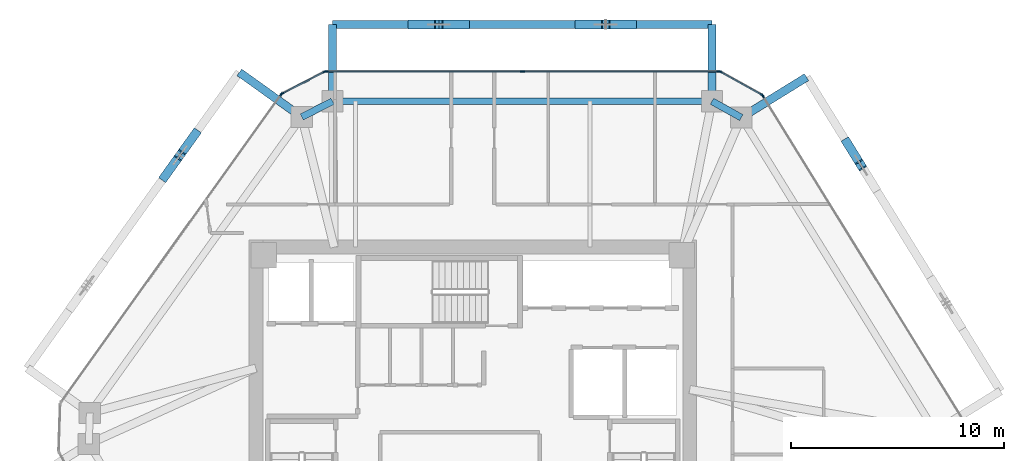
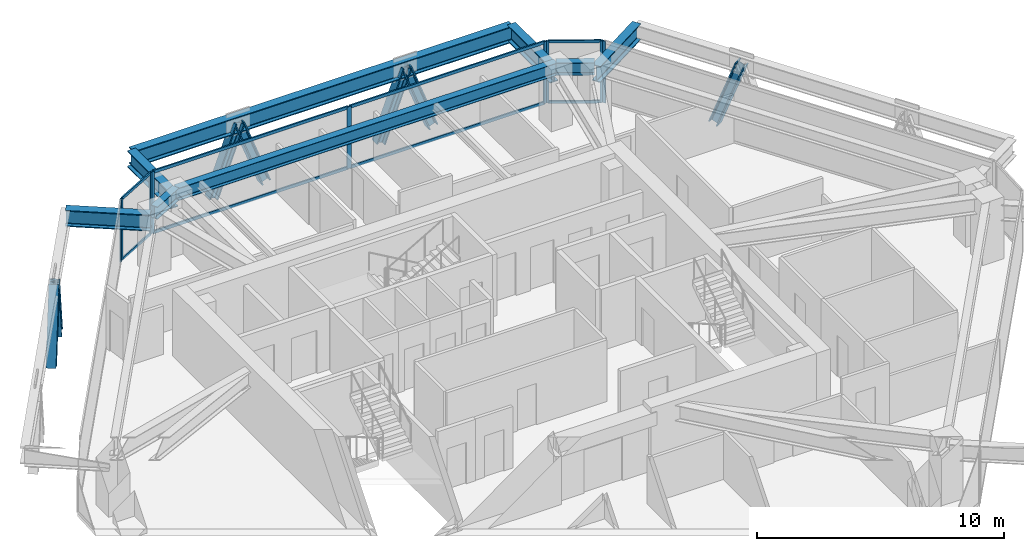
# One storey, part 6 of 14: 24 members, 8 beams, 5 elements without a shape of their own.
"""IFC4 building model written with IfcOpenShell, lengths in metres."""

from ifc_helpers import new_model, si_unit, direction, frame, origin, origin_2d, place, context, subcontext, project, spatial, rectangle, i_section, extrude, source, transform, mapped, material, layer, layer_set, material_profile, profile_set, type_object, type_shapes, element, aggregate, save


model = new_model("IFC4")

# Units and contexts
model_context = context("Model", 3, precision=1e-05, world=origin(), true_north=direction((0.0, 1.0)))
body_context = subcontext(model_context, "Body", "Model", "MODEL_VIEW")
ifc_project = project(units=[si_unit("LENGTHUNIT", "METRE"), si_unit("AREAUNIT", "SQUARE_METRE"), si_unit("VOLUMEUNIT", "CUBIC_METRE"), si_unit("PLANEANGLEUNIT", "RADIAN"), si_unit("MASSUNIT", "GRAM", prefix="KILO")], contexts=[model_context])

# Site, building, storey
site_placement = place(None, origin())
site = spatial("IfcSite", under=ifc_project, at=site_placement, CompositionType="ELEMENT")
building_placement = place(site_placement, origin())
building = spatial("IfcBuilding", under=site, at=building_placement, Name="Durnholm Broadcast Tower", CompositionType="ELEMENT")
storey_placement = place(building_placement, frame((0.0, 0.0, 180.39990234375)))
storey = spatial("IfcBuildingStorey", under=building, at=storey_placement, Name="L49", CompositionType="ELEMENT", Elevation=180.39990234375)

# Beams
ifc_material_1 = material(Name="Steel ASTM A992 Grade 50", Category="steel")
ifc_material_profile_1 = material_profile(ifc_material_1, i_section(OverallWidth=0.385009765625, OverallDepth=0.802978515625, WebThickness=0.023681640625, FlangeThickness=0.0419921875, FilletRadius=0.032958984375, at=origin_2d()), Name="W30X261")
ifc_profile_set_1 = profile_set([ifc_material_profile_1], Name="Steel ASTM A992 Grade 50")
beam_type_1 = type_object("IfcBeamType", Name="BM-EXO-TIE", PredefinedType="USERDEFINED", material=ifc_profile_set_1)
shared_shape_1 = source(origin(), body_context, "Body", "SweptSolid", [
    extrude(i_section(OverallWidth=0.385009765625, OverallDepth=0.802978515625, WebThickness=0.023681640625, FlangeThickness=0.0419921875, FilletRadius=0.032958984375, at=origin_2d()), origin(), (0.0, 0.0, 1.0), 3.4560546875),
])
for number, where, z_axis, x_axis, name in (
    (1, (12.713134765625, 14.327880859375, 2.30859375), (0.850662348375, 0.525712439512, 0.0), (-0.525712439512, 0.850662348375, 0.0), "L49 exoskeleton stand-off tie bracket F3.2"),
    (2, (-8.138916015625, 14.360107421875, 2.30859375), (-0.813079048773, 0.582153296346, 0.0), (-0.582153296346, -0.813079048773, 0.0), "L49 exoskeleton stand-off tie bracket F5.1"),
):
    element("IfcBeam", number, at=place(storey_placement, frame(where, z_axis=z_axis, x_axis=x_axis)), inside=storey, type_object=beam_type_1, Name=name, ObjectType="GIRDER", PredefinedType="USERDEFINED", context=body_context, shape_type="MappedRepresentation", body=[
        mapped(shared_shape_1, transform((0.0, 0.0, 0.0), x_axis=(1.0, 0.0, 0.0), y_axis=(0.0, 1.0, 0.0), z_axis=(0.0, 0.0, 1.0), scale=1.0)),
    ])
shared_shape_2 = source(origin(), body_context, "Body", "SweptSolid", [
    extrude(i_section(OverallWidth=0.385009765625, OverallDepth=0.802978515625, WebThickness=0.023681640625, FlangeThickness=0.0419921875, FilletRadius=0.032958984375, at=origin_2d()), origin(), (0.0, 0.0, 1.0), 3.455810546875),
])
for number, where, z_axis, x_axis, name in (
    (3, (11.217529296875, 15.162109375, 2.30859375), (0.0, 1.0, 0.0), (-1.0, 0.0, 0.0), "L49 exoskeleton stand-off tie bracket F4.1"),
    (4, (-6.57861328125, 15.162109375, 2.30859375), (0.0, 1.0, 0.0), (-1.0, 0.0, 0.0), "L49 exoskeleton stand-off tie bracket F4.2"),
):
    element("IfcBeam", number, at=place(storey_placement, frame(where, z_axis=z_axis, x_axis=x_axis)), inside=storey, type_object=beam_type_1, Name=name, ObjectType="GIRDER", PredefinedType="USERDEFINED", context=body_context, shape_type="MappedRepresentation", body=[
        mapped(shared_shape_2, transform((0.0, 0.0, 0.0), x_axis=(1.0, 0.0, 0.0), y_axis=(0.0, 1.0, 0.0), z_axis=(0.0, 0.0, 1.0), scale=1.0)),
    ])
ifc_material_profile_2 = material_profile(ifc_material_1, i_section(OverallWidth=0.3251953125, OverallDepth=0.6162109375, WebThickness=0.013916015625, FlangeThickness=0.021484375, FilletRadius=0.02783203125, at=origin_2d()), Name="W24X117")
ifc_profile_set_2 = profile_set([ifc_material_profile_2], Name="Steel ASTM A992 Grade 50")
beam_type_2 = type_object("IfcBeamType", Name="STL-SP-W24X117", PredefinedType="SPANDREL", material=ifc_profile_set_2)
shared_shape_3 = source(origin(), body_context, "Body", "SweptSolid", [
    extrude(i_section(OverallWidth=0.3251953125, OverallDepth=0.6162109375, WebThickness=0.013916015625, FlangeThickness=0.021484375, FilletRadius=0.02783203125, at=origin_2d()), origin(), (0.0, 0.0, 1.0), 1.62255859375),
])
beam_1_placement = place(storey_placement, frame((-8.021728515625, 14.2763671875, 2.737060546875), z_axis=(0.889406668864, 0.45711680934, 0.0), x_axis=(-0.45711680934, 0.889406668864, 0.0)))
element("IfcBeam", 5, at=beam_1_placement, inside=storey, type_object=beam_type_2, Name="L49 perimeter spandrel girder 04", PredefinedType="SPANDREL", context=body_context, shape_type="MappedRepresentation", body=[
    mapped(shared_shape_3, transform((0.0, 0.0, 0.0), x_axis=(1.0, 0.0, 0.0), y_axis=(0.0, 1.0, 0.0), z_axis=(0.0, 0.0, 1.0), scale=1.0)),
])
shared_shape_4 = source(origin(), body_context, "Body", "SweptSolid", [
    extrude(i_section(OverallWidth=0.3251953125, OverallDepth=0.6162109375, WebThickness=0.013916015625, FlangeThickness=0.021484375, FilletRadius=0.02783203125, at=origin_2d()), origin(), (0.0, 0.0, 1.0), 17.796142578125),
])
beam_2_placement = place(storey_placement, frame((-6.57861328125, 15.01806640625, 2.737060546875), z_axis=(1.0, 0.0, 0.0), x_axis=(0.0, 1.0, 0.0)))
element("IfcBeam", 6, at=beam_2_placement, inside=storey, type_object=beam_type_2, Name="L49 perimeter spandrel girder 05", PredefinedType="SPANDREL", context=body_context, shape_type="MappedRepresentation", body=[
    mapped(shared_shape_4, transform((0.0, 0.0, 0.0), x_axis=(1.0, 0.0, 0.0), y_axis=(0.0, 1.0, 0.0), z_axis=(0.0, 0.0, 1.0), scale=1.0)),
])
shared_shape_5 = source(origin(), body_context, "Body", "SweptSolid", [
    extrude(i_section(OverallWidth=0.3251953125, OverallDepth=0.6162109375, WebThickness=0.013916015625, FlangeThickness=0.021484375, FilletRadius=0.02783203125, at=origin_2d()), origin(), (0.0, 0.0, 1.0), 1.572509765625),
])
type_shapes(beam_type_2, [shared_shape_3, shared_shape_4, shared_shape_5])
beam_3_placement = place(storey_placement, frame((11.217529296875, 15.01806640625, 2.737060546875), z_axis=(0.873365144476, -0.487066037017, 0.0), x_axis=(0.487066037017, 0.873365144476, 0.0)))
element("IfcBeam", 7, at=beam_3_placement, inside=storey, type_object=beam_type_2, Name="L49 perimeter spandrel girder 06", PredefinedType="SPANDREL", context=body_context, shape_type="MappedRepresentation", body=[
    mapped(shared_shape_5, transform((0.0, 0.0, 0.0), x_axis=(1.0, 0.0, 0.0), y_axis=(0.0, 1.0, 0.0), z_axis=(0.0, 0.0, 1.0), scale=1.0)),
])
shared_shape_6 = source(origin(), body_context, "Body", "SweptSolid", [
    extrude(i_section(OverallWidth=0.385009765625, OverallDepth=0.802978515625, WebThickness=0.023681640625, FlangeThickness=0.0419921875, FilletRadius=0.032958984375, at=origin_2d()), origin(), (0.0, 0.0, 1.0), 17.796142578125),
])
type_shapes(beam_type_1, [shared_shape_1, shared_shape_2, shared_shape_6])
beam_4_placement = place(storey_placement, frame((11.217529296875, 18.617919921875, 2.30859375), z_axis=(-1.0, 0.0, 0.0), x_axis=(0.0, -1.0, 0.0)))
element("IfcBeam", 8, at=beam_4_placement, inside=storey, type_object=beam_type_1, Name="L49 exoskeleton collector spandrel F4", PredefinedType="SPANDREL", context=body_context, shape_type="MappedRepresentation", body=[
    mapped(shared_shape_6, transform((0.0, 0.0, 0.0), x_axis=(1.0, 0.0, 0.0), y_axis=(0.0, 1.0, 0.0), z_axis=(0.0, 0.0, 1.0), scale=1.0)),
])

# Members
ifc_material_2 = material(Name="Steel ASTM A913 Grade 65", Category="steel")
ifc_material_profile_3 = material_profile(ifc_material_2, i_section(OverallWidth=0.412109375, OverallDepth=0.434814453125, WebThickness=0.035888671875, FlangeThickness=0.057373046875, FilletRadius=0.030517578125, at=origin_2d()), Name="W14X311")
ifc_profile_set_3 = profile_set([ifc_material_profile_3], Name="Steel ASTM A913 Grade 65")
member_type_1 = type_object("IfcMemberType", Name="STL-DG-W14X311", PredefinedType="BRACE", material=ifc_profile_set_3)
shared_shape_7 = source(origin(), body_context, "Body", "SweptSolid", [
    extrude(i_section(OverallWidth=0.412109375, OverallDepth=0.434814453125, WebThickness=0.035888671875, FlangeThickness=0.057373046875, FilletRadius=0.030517578125, at=origin_2d()), origin(), (0.0, 0.0, 1.0), 3.523193359375),
])
type_shapes(member_type_1, [shared_shape_7])
for number, where, z_axis, x_axis, name in (
    (9, (17.551513671875, 13.072998046875, -0.991455078125), (0.184115236318, -0.297965945114, 0.936652483746), (0.850699125742, 0.525652924906, 0.0), "L49 stand-off diagrid brace F3.D2.2"),
    (10, (7.468505859375, 18.617919921875, -0.991455078125), (-0.350219588454, 0.0, 0.936667625075), (0.0, -1.0, 0.0), "L49 stand-off diagrid brace F4.D1.1"),
    (11, (5.000732421875, 18.617919921875, -0.991455078125), (0.350219588454, 0.0, 0.936667625075), (0.0, 1.0, 0.0), "L49 stand-off diagrid brace F4.D1.2"),
    (12, (-0.36181640625, 18.617919921875, -0.991455078125), (-0.350219588454, 0.0, 0.936667625075), (0.0, -1.0, 0.0), "L49 stand-off diagrid brace F4.D2.1"),
    (13, (-2.82958984375, 18.617919921875, -0.991455078125), (0.350219588454, 0.0, 0.936667625075), (0.0, 1.0, 0.0), "L49 stand-off diagrid brace F4.D2.2"),
    (14, (-13.013427734375, 13.48876953125, -0.991455078125), (-0.203869234398, -0.284737826017, 0.936675880815), (0.813077820009, -0.582155012526, 0.0), "L49 stand-off diagrid brace F5.D1.1"),
    (15, (-14.449951171875, 11.482421875, -0.991455078125), (0.203869234398, 0.284737826017, 0.936675880815), (-0.813077820009, 0.582155012526, 0.0), "L49 stand-off diagrid brace F5.D1.2"),
):
    element("IfcMember", number, at=place(storey_placement, frame(where, z_axis=z_axis, x_axis=x_axis)), inside=storey, type_object=member_type_1, Name=name, PredefinedType="BRACE", context=body_context, shape_type="MappedRepresentation", body=[
        mapped(shared_shape_7, transform((0.0, 0.0, 0.0), x_axis=(1.0, 0.0, 0.0), y_axis=(0.0, 1.0, 0.0), z_axis=(0.0, 0.0, 1.0), scale=1.0)),
    ])

# Curtain wall, members
ifc_material_3 = material(Name="Aluminium and Solar Control IGU", Category="aluminium")
ifc_layer_1 = layer(ifc_material_3, 0.1650390625)
ifc_layer_set_1 = layer_set([ifc_layer_1], Name="Aluminium and Solar Control IGU")
curtain_wall_type_1 = type_object("IfcCurtainWallType", Name="CW-SYS-5", PredefinedType="NOTDEFINED", material=ifc_layer_set_1)
curtain_wall_1_placement = place(storey_placement, origin())
curtain_wall_1 = element("IfcCurtainWall", 16, at=curtain_wall_1_placement, inside=storey, type_object=curtain_wall_type_1, Name="L49 curtain wall CW-CORNER CW-L49-CRN-03", PredefinedType="NOTDEFINED")
ifc_material_4 = material(Name="Aluminium 6063-T6", Category="aluminium")
ifc_material_profile_4 = material_profile(ifc_material_4, rectangle(XDim=0.06494140625, YDim=0.1650390625, at=origin_2d()), Name="CWM65X165")
ifc_profile_set_4 = profile_set([ifc_material_profile_4], Name="Aluminium 6063-T6")
member_type_2 = type_object("IfcMemberType", Name="CW-SYS-5-MUL", PredefinedType="MULLION", material=ifc_profile_set_4)
shared_shape_8 = source(origin(), body_context, "Body", "SweptSolid", [
    extrude(rectangle(XDim=0.06494140625, YDim=0.1650390625, at=origin_2d()), origin(), (0.0, 0.0, 1.0), 3.06005859375),
])
type_shapes(member_type_2, [shared_shape_8])
member_1_placement = place(storey_placement, frame((-8.93408203125, 15.381591796875, 0.0), z_axis=(0.0, 0.0, 1.0), x_axis=(-0.457081764476, 0.889424679545, 0.0)))
member_1 = element("IfcMember", 17, at=member_1_placement, type_object=member_type_2, Name="CW-CORNER mullion 1", PredefinedType="MULLION", context=body_context, shape_type="MappedRepresentation", body=[
    mapped(shared_shape_8, transform((0.0, 0.0, 0.0), x_axis=(1.0, 0.0, 0.0), y_axis=(0.0, 1.0, 0.0), z_axis=(0.0, 0.0, 1.0), scale=1.0)),
])
member_2_placement = place(storey_placement, frame((-6.9462890625, 16.403076171875, 0.0), z_axis=(0.0, 0.0, 1.0), x_axis=(-0.457081764476, 0.889424679545, 0.0)))
member_2 = element("IfcMember", 18, at=member_2_placement, type_object=member_type_2, Name="CW-CORNER mullion 2", PredefinedType="MULLION", context=body_context, shape_type="MappedRepresentation", body=[
    mapped(shared_shape_8, transform((0.0, 0.0, 0.0), x_axis=(1.0, 0.0, 0.0), y_axis=(0.0, 1.0, 0.0), z_axis=(0.0, 0.0, 1.0), scale=1.0)),
])

curtain_wall_2_placement = place(storey_placement, origin())
curtain_wall_2 = element("IfcCurtainWall", 19, at=curtain_wall_2_placement, inside=storey, type_object=curtain_wall_type_1, Name="L49 curtain wall CW-CORNER CW-L49-CRN-05", PredefinedType="NOTDEFINED")
member_3_placement = place(storey_placement, frame((11.60986328125, 16.402099609375, 0.0), z_axis=(0.0, 0.0, 1.0), x_axis=(0.486986043316, 0.873409751271, 0.0)))
member_3 = element("IfcMember", 20, at=member_3_placement, type_object=member_type_2, Name="CW-CORNER mullion 1", PredefinedType="MULLION", context=body_context, shape_type="MappedRepresentation", body=[
    mapped(shared_shape_8, transform((0.0, 0.0, 0.0), x_axis=(1.0, 0.0, 0.0), y_axis=(0.0, 1.0, 0.0), z_axis=(0.0, 0.0, 1.0), scale=1.0)),
])
member_4_placement = place(storey_placement, frame((13.56201171875, 15.313720703125, 0.0), z_axis=(0.0, 0.0, 1.0), x_axis=(0.486986043316, 0.873409751271, 0.0)))
member_4 = element("IfcMember", 21, at=member_4_placement, type_object=member_type_2, Name="CW-CORNER mullion 2", PredefinedType="MULLION", context=body_context, shape_type="MappedRepresentation", body=[
    mapped(shared_shape_8, transform((0.0, 0.0, 0.0), x_axis=(1.0, 0.0, 0.0), y_axis=(0.0, 1.0, 0.0), z_axis=(0.0, 0.0, 1.0), scale=1.0)),
])

# Member
ifc_material_profile_5 = material_profile(ifc_material_4, rectangle(XDim=0.06494140625, YDim=0.1298828125, at=origin_2d()), Name="CWT65X130")
ifc_profile_set_5 = profile_set([ifc_material_profile_5], Name="Aluminium 6063-T6")
member_type_3 = type_object("IfcMemberType", Name="CW-SYS-5-TRN", PredefinedType="USERDEFINED", material=ifc_profile_set_5)
shared_shape_9 = source(origin(), body_context, "Body", "SweptSolid", [
    extrude(rectangle(XDim=0.06494140625, YDim=0.1298828125, at=origin_2d()), origin(), (0.0, 0.0, 1.0), 2.169921875),
])
type_shapes(member_type_3, [shared_shape_9])
member_5_placement = place(storey_placement, frame((-8.9052734375, 15.396484375, 0.03271484375), z_axis=(0.889468148591, 0.456997169185, 0.0), x_axis=(-0.456997169185, 0.889468148591, 0.0)))
member_5 = element("IfcMember", 22, at=member_5_placement, type_object=member_type_3, Name="CW-CORNER transom 1.1", ObjectType="TRANSOM", PredefinedType="USERDEFINED", context=body_context, shape_type="MappedRepresentation", body=[
    mapped(shared_shape_9, transform((0.0, 0.0, 0.0), x_axis=(1.0, 0.0, 0.0), y_axis=(0.0, 1.0, 0.0), z_axis=(0.0, 0.0, 1.0), scale=1.0)),
])

member_6_placement = place(storey_placement, frame((-8.9052734375, 15.396484375, 3.027587890625), z_axis=(0.889468148591, 0.456997169185, 0.0), x_axis=(-0.456997169185, 0.889468148591, 0.0)))
member_6 = element("IfcMember", 23, at=member_6_placement, type_object=member_type_3, Name="CW-CORNER transom 1.2", ObjectType="TRANSOM", PredefinedType="USERDEFINED", context=body_context, shape_type="MappedRepresentation", body=[
    mapped(shared_shape_9, transform((0.0, 0.0, 0.0), x_axis=(1.0, 0.0, 0.0), y_axis=(0.0, 1.0, 0.0), z_axis=(0.0, 0.0, 1.0), scale=1.0)),
])

aggregate(curtain_wall_1, [member_1, member_2, member_5, member_6])

member_7_placement = place(storey_placement, frame((11.63818359375, 16.38623046875, 0.03271484375), z_axis=(0.873429215361, -0.48695113282, 0.0), x_axis=(0.48695113282, 0.873429215361, 0.0)))
member_7 = element("IfcMember", 24, at=member_7_placement, type_object=member_type_3, Name="CW-CORNER transom 1.1", ObjectType="TRANSOM", PredefinedType="USERDEFINED", context=body_context, shape_type="MappedRepresentation", body=[
    mapped(shared_shape_9, transform((0.0, 0.0, 0.0), x_axis=(1.0, 0.0, 0.0), y_axis=(0.0, 1.0, 0.0), z_axis=(0.0, 0.0, 1.0), scale=1.0)),
])

member_8_placement = place(storey_placement, frame((11.63818359375, 16.38623046875, 3.027587890625), z_axis=(0.873429215361, -0.48695113282, 0.0), x_axis=(0.48695113282, 0.873429215361, 0.0)))
member_8 = element("IfcMember", 25, at=member_8_placement, type_object=member_type_3, Name="CW-CORNER transom 1.2", ObjectType="TRANSOM", PredefinedType="USERDEFINED", context=body_context, shape_type="MappedRepresentation", body=[
    mapped(shared_shape_9, transform((0.0, 0.0, 0.0), x_axis=(1.0, 0.0, 0.0), y_axis=(0.0, 1.0, 0.0), z_axis=(0.0, 0.0, 1.0), scale=1.0)),
])

aggregate(curtain_wall_2, [member_3, member_4, member_7, member_8])

# Curtain wall, members
ifc_layer_2 = layer(ifc_material_3, 0.18994140625)
ifc_layer_set_2 = layer_set([ifc_layer_2], Name="Aluminium and Solar Control IGU")
curtain_wall_type_2 = type_object("IfcCurtainWallType", Name="CW-SYS-4", PredefinedType="NOTDEFINED", material=ifc_layer_set_2)
curtain_wall_3_placement = place(storey_placement, origin())
curtain_wall_3 = element("IfcCurtainWall", 26, at=curtain_wall_3_placement, inside=storey, type_object=curtain_wall_type_2, Name="L49 curtain wall CW-Z34-VIS CW-L49-F04", PredefinedType="NOTDEFINED")
ifc_material_profile_6 = material_profile(ifc_material_4, rectangle(XDim=0.070068359375, YDim=0.14990234375, at=origin_2d()), Name="CWT70X150")
ifc_profile_set_6 = profile_set([ifc_material_profile_6], Name="Aluminium 6063-T6")
member_type_4 = type_object("IfcMemberType", Name="CW-SYS-4-TRN", PredefinedType="USERDEFINED", material=ifc_profile_set_6)
shared_shape_10 = source(origin(), body_context, "Body", "SweptSolid", [
    extrude(rectangle(XDim=0.070068359375, YDim=0.14990234375, at=origin_2d()), origin(), (0.0, 0.0, 1.0), 9.14453125),
])
type_shapes(member_type_4, [shared_shape_10])
member_9_placement = place(storey_placement, frame((-6.847412109375, 16.41796875, 0.03515625), z_axis=(1.0, 0.0, 0.0), x_axis=(0.0, 1.0, 0.0)))
member_9 = element("IfcMember", 27, at=member_9_placement, type_object=member_type_4, Name="CW-Z34-VIS transom 1.1", ObjectType="TRANSOM", PredefinedType="USERDEFINED", context=body_context, shape_type="MappedRepresentation", body=[
    mapped(shared_shape_10, transform((0.0, 0.0, 0.0), x_axis=(1.0, 0.0, 0.0), y_axis=(0.0, 1.0, 0.0), z_axis=(0.0, 0.0, 1.0), scale=1.0)),
])
member_10_placement = place(storey_placement, frame((-6.847412109375, 16.41796875, 3.025146484375), z_axis=(1.0, 0.0, 0.0), x_axis=(0.0, 1.0, 0.0)))
member_10 = element("IfcMember", 28, at=member_10_placement, type_object=member_type_4, Name="CW-Z34-VIS transom 1.2", ObjectType="TRANSOM", PredefinedType="USERDEFINED", context=body_context, shape_type="MappedRepresentation", body=[
    mapped(shared_shape_10, transform((0.0, 0.0, 0.0), x_axis=(1.0, 0.0, 0.0), y_axis=(0.0, 1.0, 0.0), z_axis=(0.0, 0.0, 1.0), scale=1.0)),
])
member_11_placement = place(storey_placement, frame((2.366943359375, 16.41796875, 0.03515625), z_axis=(1.0, 0.0, 0.0), x_axis=(0.0, 1.0, 0.0)))
member_11 = element("IfcMember", 29, at=member_11_placement, type_object=member_type_4, Name="CW-Z34-VIS transom 2.1", ObjectType="TRANSOM", PredefinedType="USERDEFINED", context=body_context, shape_type="MappedRepresentation", body=[
    mapped(shared_shape_10, transform((0.0, 0.0, 0.0), x_axis=(1.0, 0.0, 0.0), y_axis=(0.0, 1.0, 0.0), z_axis=(0.0, 0.0, 1.0), scale=1.0)),
])
member_12_placement = place(storey_placement, frame((2.366943359375, 16.41796875, 3.025146484375), z_axis=(1.0, 0.0, 0.0), x_axis=(0.0, 1.0, 0.0)))
member_12 = element("IfcMember", 30, at=member_12_placement, type_object=member_type_4, Name="CW-Z34-VIS transom 2.2", ObjectType="TRANSOM", PredefinedType="USERDEFINED", context=body_context, shape_type="MappedRepresentation", body=[
    mapped(shared_shape_10, transform((0.0, 0.0, 0.0), x_axis=(1.0, 0.0, 0.0), y_axis=(0.0, 1.0, 0.0), z_axis=(0.0, 0.0, 1.0), scale=1.0)),
])

# Curtain wall, member
curtain_wall_4_placement = place(storey_placement, origin())
curtain_wall_4 = element("IfcCurtainWall", 31, at=curtain_wall_4_placement, inside=storey, type_object=curtain_wall_type_2, Name="L49 curtain wall CW-Z34-VIS CW-L49-F02", PredefinedType="NOTDEFINED")
ifc_material_profile_7 = material_profile(ifc_material_4, rectangle(XDim=0.070068359375, YDim=0.18994140625, at=origin_2d()), Name="CWM70X190")
ifc_profile_set_7 = profile_set([ifc_material_profile_7], Name="Aluminium 6063-T6")
member_type_5 = type_object("IfcMemberType", Name="CW-SYS-4-MUL", PredefinedType="MULLION", material=ifc_profile_set_7)
shared_shape_11 = source(origin(), body_context, "Body", "SweptSolid", [
    extrude(rectangle(XDim=0.070068359375, YDim=0.18994140625, at=origin_2d()), origin(), (0.0, 0.0, 1.0), 3.06005859375),
])
type_shapes(member_type_5, [shared_shape_11])
member_13_placement = place(storey_placement, frame((-8.9833984375, 15.338134765625, 0.0), z_axis=(0.0, 0.0, 1.0), x_axis=(-0.813089262696, 0.582139030549, 0.0)))
member_13 = element("IfcMember", 32, at=member_13_placement, type_object=member_type_5, Name="CW-Z34-VIS mullion 2", PredefinedType="MULLION", context=body_context, shape_type="MappedRepresentation", body=[
    mapped(shared_shape_11, transform((0.0, 0.0, 0.0), x_axis=(1.0, 0.0, 0.0), y_axis=(0.0, 1.0, 0.0), z_axis=(0.0, 0.0, 1.0), scale=1.0)),
])
aggregate(curtain_wall_4, [member_13])

# Member
member_14_placement = place(storey_placement, frame((-6.88232421875, 16.41796875, 0.0), z_axis=(0.0, 0.0, 1.0), x_axis=(0.0, 1.0, 0.0)))
member_14 = element("IfcMember", 33, at=member_14_placement, type_object=member_type_5, Name="CW-Z34-VIS mullion 1", PredefinedType="MULLION", context=body_context, shape_type="MappedRepresentation", body=[
    mapped(shared_shape_11, transform((0.0, 0.0, 0.0), x_axis=(1.0, 0.0, 0.0), y_axis=(0.0, 1.0, 0.0), z_axis=(0.0, 0.0, 1.0), scale=1.0)),
])

member_15_placement = place(storey_placement, frame((2.33203125, 16.41796875, 0.0), z_axis=(0.0, 0.0, 1.0), x_axis=(0.0, 1.0, 0.0)))
member_15 = element("IfcMember", 34, at=member_15_placement, type_object=member_type_5, Name="CW-Z34-VIS mullion 2", PredefinedType="MULLION", context=body_context, shape_type="MappedRepresentation", body=[
    mapped(shared_shape_11, transform((0.0, 0.0, 0.0), x_axis=(1.0, 0.0, 0.0), y_axis=(0.0, 1.0, 0.0), z_axis=(0.0, 0.0, 1.0), scale=1.0)),
])

member_16_placement = place(storey_placement, frame((11.54638671875, 16.41796875, 0.0), z_axis=(0.0, 0.0, 1.0), x_axis=(0.0, 1.0, 0.0)))
member_16 = element("IfcMember", 35, at=member_16_placement, type_object=member_type_5, Name="CW-Z34-VIS mullion 3", PredefinedType="MULLION", context=body_context, shape_type="MappedRepresentation", body=[
    mapped(shared_shape_11, transform((0.0, 0.0, 0.0), x_axis=(1.0, 0.0, 0.0), y_axis=(0.0, 1.0, 0.0), z_axis=(0.0, 0.0, 1.0), scale=1.0)),
])

aggregate(curtain_wall_3, [member_14, member_15, member_16, member_9, member_10, member_11, member_12])

# Curtain wall, member
curtain_wall_5_placement = place(storey_placement, origin())
curtain_wall_5 = element("IfcCurtainWall", 36, at=curtain_wall_5_placement, inside=storey, type_object=curtain_wall_type_2, Name="L49 curtain wall CW-Z34-VIS CW-L49-F06", PredefinedType="NOTDEFINED")
member_17_placement = place(storey_placement, frame((13.608642578125, 15.26806640625, 0.0), z_axis=(0.0, 0.0, 1.0), x_axis=(0.850671426092, 0.525697750452, 0.0)))
member_17 = element("IfcMember", 37, at=member_17_placement, type_object=member_type_5, Name="CW-Z34-VIS mullion 1", PredefinedType="MULLION", context=body_context, shape_type="MappedRepresentation", body=[
    mapped(shared_shape_11, transform((0.0, 0.0, 0.0), x_axis=(1.0, 0.0, 0.0), y_axis=(0.0, 1.0, 0.0), z_axis=(0.0, 0.0, 1.0), scale=1.0)),
])
aggregate(curtain_wall_5, [member_17])

save(model, "model.ifc")
